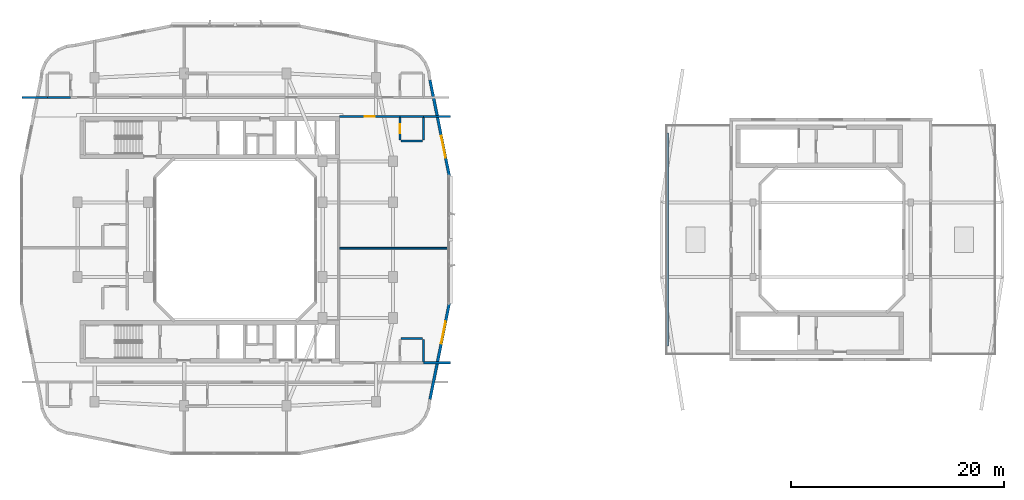
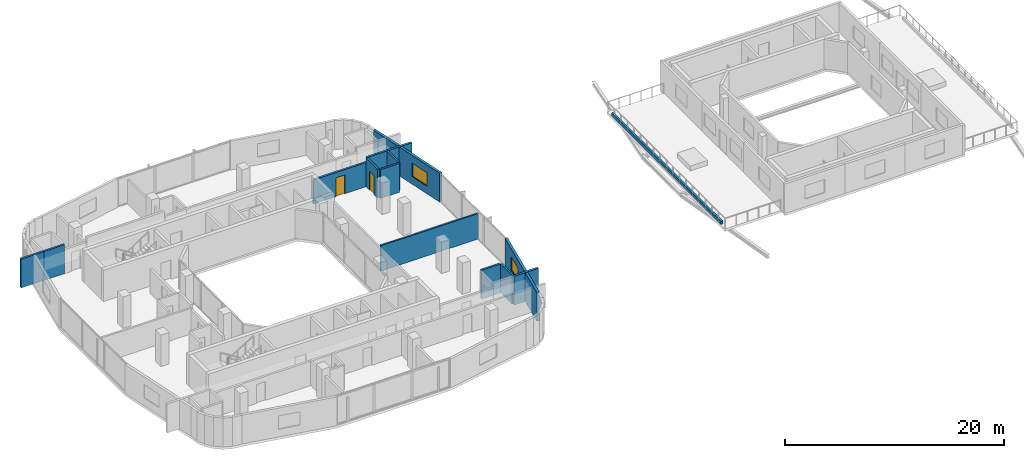
# One storey, part 10 of 18: 15 walls, 2 doors, 2 windows, 4 openings.
"""IFC4 building model written with IfcOpenShell, lengths in metres."""

from ifc_helpers import new_model, si_unit, derived_unit, direction, frame, frame_2d, origin, place, context, subcontext, project, spatial, rectangle, extrude, material, layer, layer_set, type_object, element, fill, save


model = new_model("IFC4")

# Units and contexts
model_context = context("Model", 3, precision=1e-05, world=origin(), true_north=direction((0.0, 1.0)))
body_context = subcontext(model_context, "Body", "Model", "MODEL_VIEW")
ifc_project = project(units=[si_unit("LENGTHUNIT", "METRE"), si_unit("AREAUNIT", "SQUARE_METRE"), si_unit("VOLUMEUNIT", "CUBIC_METRE"), si_unit("PLANEANGLEUNIT", "RADIAN"), si_unit("MASSUNIT", "GRAM", prefix="KILO"), derived_unit("THERMALTRANSMITTANCEUNIT", [(si_unit("POWERUNIT", "WATT"), 1), (si_unit("LENGTHUNIT", "METRE"), -2), (si_unit("THERMODYNAMICTEMPERATUREUNIT", "KELVIN"), -1)])], contexts=[model_context])

# Site, building, storey
site_placement = place(None, origin())
site = spatial("IfcSite", under=ifc_project, at=site_placement, CompositionType="ELEMENT")
building_placement = place(site_placement, origin())
building = spatial("IfcBuilding", under=site, at=building_placement, Name="Kivonza Crest Hotel", CompositionType="ELEMENT")
storey_placement = place(building_placement, frame((0.0, 0.0, 131.0)))
storey = spatial("IfcBuildingStorey", under=building, at=storey_placement, Name="L35", CompositionType="ELEMENT", Elevation=131.0)

# Walls
ifc_material_1 = material(Name="High-density acoustic masonry inter-tenancy wall", Category="masonry")
ifc_layer_1 = layer(ifc_material_1, 0.179931640625)
ifc_layer_set_1 = layer_set([ifc_layer_1], Name="High-density acoustic masonry inter-tenancy wall")
wall_type_1 = type_object("IfcWallType", Name="WL-ACOU-180", PredefinedType="SOLIDWALL", material=ifc_layer_set_1)
wall_1_placement = place(storey_placement, frame((30.800048828125, 24.199951171875, 0.0), z_axis=(0.0, 0.0, 1.0), x_axis=(1.0, 0.0, 0.0)))
element("IfcWall", 1, at=wall_1_placement, inside=storey, type_object=wall_type_1, Name="L35 interior partition WA-L35-T1EC-DIV", PredefinedType="SOLIDWALL", context=body_context, shape_type="SweptSolid", body=[
    extrude(rectangle(XDim=10.33984375, YDim=0.179931640625, at=frame_2d((5.169921875, 0.0))), origin(), (0.0, 0.0, 1.0), 2.8349609375),
])
ifc_material_2 = material(Name="Autoclaved aerated concrete blockwork", Category="masonry")
ifc_layer_2 = layer(ifc_material_2, 0.219970703125)
ifc_layer_set_2 = layer_set([ifc_layer_2], Name="Autoclaved aerated concrete blockwork")
wall_type_2 = type_object("IfcWallType", Name="WL-ACOU-220", PredefinedType="SOLIDWALL", material=ifc_layer_set_2)
wall_2_placement = place(storey_placement, frame((0.9599609375, 38.35009765625, 0.0), z_axis=(0.0, 0.0, 1.0), x_axis=(1.0, 0.0, 0.0)))
element("IfcWall", 2, at=wall_2_placement, inside=storey, type_object=wall_type_2, Name="L35 interior partition WA-L35-N01-XCORR", PredefinedType="SOLIDWALL", context=body_context, shape_type="SweptSolid", body=[
    extrude(rectangle(XDim=2.39013671875, YDim=0.219970703125, at=frame_2d((1.195068359375, 0.0))), origin(), (0.0, 0.0, 1.0), 3.219970703125),
])
wall_3_placement = place(storey_placement, frame((3.35009765625, 38.35009765625, 0.0), z_axis=(0.0, 0.0, 1.0), x_axis=(1.0, 0.0, 0.0)))
element("IfcWall", 3, at=wall_3_placement, inside=storey, type_object=wall_type_2, Name="L35 interior partition WA-L35-N01-BCORR", PredefinedType="SOLIDWALL", context=body_context, shape_type="SweptSolid", body=[
    extrude(rectangle(XDim=2.199951171875, YDim=0.219970703125, at=frame_2d((1.10009765625, 0.0))), origin(), (0.0, 0.0, 1.0), 3.219970703125),
])
for number, where, z_axis, x_axis, name in (
    (4, (38.64990234375, 13.43994140625, 0.0), (0.0, 0.0, 1.0), (1.0, 0.0, 0.0), "L35 interior partition WA-L35-ES08-XCORR"),
    (5, (38.64990234375, 36.56005859375, 0.0), (0.0, 0.0, 1.0), (1.0, 0.0, 0.0), "L35 interior partition WA-L35-EN09-XCORR"),
):
    element("IfcWall", number, at=place(storey_placement, frame(where, z_axis=z_axis, x_axis=x_axis)), inside=storey, type_object=wall_type_2, Name=name, PredefinedType="SOLIDWALL", context=body_context, shape_type="SweptSolid", body=[
        extrude(rectangle(XDim=2.550048828125, YDim=0.219970703125, at=frame_2d((1.27490234375, 0.0))), origin(), (0.0, 0.0, 1.0), 3.219970703125),
    ])
wall_4_placement = place(storey_placement, frame((36.449951171875, 36.56005859375, 0.0), z_axis=(0.0, 0.0, 1.0), x_axis=(1.0, 0.0, 0.0)))
element("IfcWall", 6, at=wall_4_placement, inside=storey, type_object=wall_type_2, Name="L35 interior partition WA-L35-EN09-BCORR", PredefinedType="SOLIDWALL", context=body_context, shape_type="SweptSolid", body=[
    extrude(rectangle(XDim=2.199951171875, YDim=0.219970703125, at=frame_2d((1.10009765625, 0.0))), origin(), (0.0, 0.0, 1.0), 3.219970703125),
])

# Wall, opening, door
wall_5_placement = place(storey_placement, frame((30.800048828125, 36.56005859375, 0.0), z_axis=(0.0, 0.0, 1.0), x_axis=(1.0, 0.0, 0.0)))
wall_5 = element("IfcWall", 7, at=wall_5_placement, inside=storey, type_object=wall_type_2, Name="L35 interior partition WA-L35-EN09-MCORR", PredefinedType="SOLIDWALL", context=body_context, shape_type="SweptSolid", body=[
    extrude(rectangle(XDim=5.64990234375, YDim=0.219970703125, at=frame_2d((2.824951171875, 0.0))), origin(), (0.0, 0.0, 1.0), 2.695068359375),
])
opening_1_placement = place(wall_5_placement, frame((2.35009765625, 0.0, 0.0)))
opening_1 = element("IfcOpeningElement", 8, at=opening_1_placement, cuts=wall_5, Name="Opening DU-60", PredefinedType="OPENING", context=body_context, shape_type="SweptSolid", body=[
    extrude(rectangle(XDim=0.949951171875, YDim=2.10009765625, at=frame_2d((0.47509765625, 1.050048828125))), frame((0.0, 0.1201171875, 0.0), z_axis=(0.0, -1.0, 0.0), x_axis=(1.0, 0.0, 0.0)), (0.0, 0.0, 1.0), 0.239990234375),
])
ifc_material_3 = material(Name="Hardwood timber oak", Category="wood")
door_type_1 = type_object("IfcDoorType", Name="DR-UNIT-950", OperationType="NOTDEFINED", PredefinedType="DOOR", material=ifc_material_3)
door_1_placement = place(opening_1_placement, frame((0.949951171875, 0.0, 0.0), z_axis=(0.0, 0.0, 1.0), x_axis=(-1.0, 0.0, 0.0)))
door_1 = element("IfcDoor", 9, at=door_1_placement, inside=storey, type_object=door_type_1, Name="L35 EN09 guest unit entrance fire door", OperationType="SINGLE_SWING_LEFT", OverallHeight=2.10009765625, OverallWidth=0.949951171875, PredefinedType="DOOR", context=body_context, shape_type="SweptSolid", body=[
    extrude(rectangle(XDim=0.949951171875, YDim=2.10009765625, at=frame_2d((0.47509765625, 1.050048828125))), frame((0.0, 0.02490234375, 0.0), z_axis=(0.0, -1.0, 0.0), x_axis=(1.0, 0.0, 0.0)), (0.0, 0.0, 1.0), 0.050048828125),
])
fill(opening_1, door_1)

# Wall, opening, window
ifc_material_4 = material(Name="Precast concrete C40/50", Category="concrete")
ifc_layer_3 = layer(ifc_material_4, 0.260009765625)
ifc_layer_set_3 = layer_set([ifc_layer_3], Name="Precast concrete C40/50")
wall_type_3 = type_object("IfcWallType", Name="WL-EXT-260", PredefinedType="STANDARD", material=ifc_layer_set_3)
wall_6_placement = place(storey_placement, frame((39.27099609375, 10.01806640625, 0.0), z_axis=(0.0, 0.0, 1.0), x_axis=(0.197435082048, 0.980315963543, 0.0)))
wall_6 = element("IfcWall", 10, at=wall_6_placement, inside=storey, type_object=wall_type_3, Name="L35 T1 exterior insulated wall 16", PredefinedType="STANDARD", context=body_context, shape_type="SweptSolid", body=[
    extrude(rectangle(XDim=9.1826171875, YDim=0.260009765625, at=frame_2d((4.59130859375, 0.0))), origin(), (0.0, 0.0, 1.0), 3.219970703125),
])
opening_2_placement = place(wall_6_placement, frame((5.34912109375, 0.0, 0.85009765625)))
opening_2 = element("IfcOpeningElement", 11, at=opening_2_placement, cuts=wall_6, Name="Opening WN-04", PredefinedType="OPENING", context=body_context, shape_type="SweptSolid", body=[
    extrude(rectangle(XDim=2.10009765625, YDim=1.5, at=frame_2d((1.050048828125, 0.75))), frame((0.0, 0.14013671875, 0.0), z_axis=(0.0, -1.0, 0.0), x_axis=(1.0, 0.0, 0.0)), (0.0, 0.0, 1.0), 0.280029296875),
])
ifc_material_5 = material(Name="Thermally broken bronze aluminium and low-E double glazing", Category="aluminium")
window_type = type_object("IfcWindowType", Name="WN-210x150", PartitioningType="DOUBLE_PANEL_VERTICAL", PredefinedType="WINDOW", material=ifc_material_5)
window_1_placement = place(opening_2_placement, origin())
window_1 = element("IfcWindow", 12, at=window_1_placement, inside=storey, type_object=window_type, Name="L35 T1 facade window 16", OverallHeight=1.5, OverallWidth=2.10009765625, PartitioningType="SINGLE_PANEL", PredefinedType="WINDOW", context=body_context, shape_type="SweptSolid", body=[
    extrude(rectangle(XDim=2.10009765625, YDim=1.5, at=frame_2d((1.050048828125, 0.75))), frame((0.0, 0.030029296875, 0.0), z_axis=(0.0, -1.0, 0.0), x_axis=(1.0, 0.0, 0.0)), (0.0, 0.0, 1.0), 0.06005859375),
])
fill(opening_2, window_1)

wall_7_placement = place(storey_placement, frame((41.083984375, 30.97998046875, 0.0), z_axis=(0.0, 0.0, 1.0), x_axis=(-0.197435082048, 0.980315963543, 0.0)))
wall_7 = element("IfcWall", 13, at=wall_7_placement, inside=storey, type_object=wall_type_3, Name="L35 T1 exterior insulated wall 18", PredefinedType="STANDARD", context=body_context, shape_type="SweptSolid", body=[
    extrude(rectangle(XDim=9.1826171875, YDim=0.260009765625, at=frame_2d((4.59130859375, 0.0))), origin(), (0.0, 0.0, 1.0), 3.219970703125),
])
opening_3_placement = place(wall_7_placement, frame((1.73388671875, 0.0, 0.85009765625)))
opening_3 = element("IfcOpeningElement", 14, at=opening_3_placement, cuts=wall_7, Name="Opening WN-04", PredefinedType="OPENING", context=body_context, shape_type="SweptSolid", body=[
    extrude(rectangle(XDim=2.10009765625, YDim=1.5, at=frame_2d((1.050048828125, 0.75))), frame((0.0, 0.14013671875, 0.0), z_axis=(0.0, -1.0, 0.0), x_axis=(1.0, 0.0, 0.0)), (0.0, 0.0, 1.0), 0.280029296875),
])
window_2_placement = place(opening_3_placement, origin())
window_2 = element("IfcWindow", 15, at=window_2_placement, inside=storey, type_object=window_type, Name="L35 T1 facade window 18", OverallHeight=1.5, OverallWidth=2.10009765625, PartitioningType="SINGLE_PANEL", PredefinedType="WINDOW", context=body_context, shape_type="SweptSolid", body=[
    extrude(rectangle(XDim=2.10009765625, YDim=1.5, at=frame_2d((1.050048828125, 0.75))), frame((0.0, 0.030029296875, 0.0), z_axis=(0.0, -1.0, 0.0), x_axis=(1.0, 0.0, 0.0)), (0.0, 0.0, 1.0), 0.06005859375),
])
fill(opening_3, window_2)

# Walls
ifc_layer_4 = layer(ifc_material_4, 0.199951171875)
ifc_layer_set_4 = layer_set([ifc_layer_4], Name="Precast concrete C40/50")
wall_type_4 = type_object("IfcWallType", Name="WL-PARAPET-200", PredefinedType="PARAPET", material=ifc_layer_set_4)
wall_8_placement = place(storey_placement, frame((61.550048828125, 15.0, 0.0), z_axis=(0.0, 0.0, 1.0), x_axis=(0.0, 1.0, 0.0)))
element("IfcWall", 16, at=wall_8_placement, inside=storey, type_object=wall_type_4, Name="T2 L35 W rooftop parapet kerb", PredefinedType="PARAPET", context=body_context, shape_type="SweptSolid", body=[
    extrude(rectangle(XDim=20.0, YDim=0.199951171875, at=frame_2d((10.0, 0.0))), origin(), (0.0, 0.0, 1.0), 0.35009765625),
])
ifc_material_6 = material(Name="Moisture-resistant plumbing chase partition wall", Category="gypsum")
ifc_layer_5 = layer(ifc_material_6, 0.199951171875)
ifc_layer_set_5 = layer_set([ifc_layer_5], Name="Moisture-resistant plumbing chase partition wall")
wall_type_5 = type_object("IfcWallType", Name="WL-PLUMB-200", PredefinedType="PLUMBINGWALL", material=ifc_layer_set_5)
wall_9_placement = place(storey_placement, frame((36.550048828125, 15.739990234375, 0.0), z_axis=(0.0, 0.0, 1.0), x_axis=(1.0, 0.0, 0.0)))
element("IfcWall", 17, at=wall_9_placement, inside=storey, type_object=wall_type_5, Name="L35 interior partition WW-L35-ES08-BH", PredefinedType="PLUMBINGWALL", context=body_context, shape_type="SweptSolid", body=[
    extrude(rectangle(XDim=2.0, YDim=0.199951171875, at=frame_2d((1.0, 0.0))), origin(), (0.0, 0.0, 1.0), 3.219970703125),
])
wall_10_placement = place(storey_placement, frame((38.64990234375, 13.5400390625, 0.0), z_axis=(0.0, 0.0, 1.0), x_axis=(0.0, 1.0, 0.0)))
element("IfcWall", 18, at=wall_10_placement, inside=storey, type_object=wall_type_5, Name="L35 interior partition WW-L35-ES08-BVE", PredefinedType="PLUMBINGWALL", context=body_context, shape_type="SweptSolid", body=[
    extrude(rectangle(XDim=2.099853515625, YDim=0.199951171875, at=frame_2d((1.0498046875, 0.0))), origin(), (0.0, 0.0, 1.0), 3.219970703125),
])

# Wall, opening, door
wall_11_placement = place(storey_placement, frame((36.449951171875, 34.360107421875, 0.0), z_axis=(0.0, 0.0, 1.0), x_axis=(0.0, 1.0, 0.0)))
wall_11 = element("IfcWall", 19, at=wall_11_placement, inside=storey, type_object=wall_type_5, Name="L35 interior partition WW-L35-EN09-BV", PredefinedType="PLUMBINGWALL", context=body_context, shape_type="SweptSolid", body=[
    extrude(rectangle(XDim=2.099853515625, YDim=0.199951171875, at=frame_2d((1.0498046875, 0.0))), origin(), (0.0, 0.0, 1.0), 3.219970703125),
])
opening_4_placement = place(wall_11_placement, frame((0.625, 0.0, 0.0)))
opening_4 = element("IfcOpeningElement", 20, at=opening_4_placement, cuts=wall_11, Name="Opening DI-85", PredefinedType="OPENING", context=body_context, shape_type="SweptSolid", body=[
    extrude(rectangle(XDim=0.85009765625, YDim=2.10009765625, at=frame_2d((0.425048828125, 1.050048828125))), frame((0.0, 0.10986328125, 0.0), z_axis=(0.0, -1.0, 0.0), x_axis=(1.0, 0.0, 0.0)), (0.0, 0.0, 1.0), 0.219970703125),
])
door_type_2 = type_object("IfcDoorType", Name="DR-INT-850", OperationType="NOTDEFINED", PredefinedType="DOOR", material=ifc_material_3)
door_2_placement = place(opening_4_placement, origin())
door_2 = element("IfcDoor", 21, at=door_2_placement, inside=storey, type_object=door_type_2, Name="L35 EN09 en-suite bathroom door", OperationType="SINGLE_SWING_RIGHT", OverallHeight=2.10009765625, OverallWidth=0.85009765625, PredefinedType="DOOR", context=body_context, shape_type="SweptSolid", body=[
    extrude(rectangle(XDim=0.85009765625, YDim=2.10009765625, at=frame_2d((0.425048828125, 1.050048828125))), frame((0.0, 0.02490234375, 0.0), z_axis=(0.0, -1.0, 0.0), x_axis=(1.0, 0.0, 0.0)), (0.0, 0.0, 1.0), 0.050048828125),
])
fill(opening_4, door_2)

# Walls
wall_12_placement = place(storey_placement, frame((36.550048828125, 34.260009765625, 0.0), z_axis=(0.0, 0.0, 1.0), x_axis=(1.0, 0.0, 0.0)))
element("IfcWall", 22, at=wall_12_placement, inside=storey, type_object=wall_type_5, Name="L35 interior partition WW-L35-EN09-BH", PredefinedType="PLUMBINGWALL", context=body_context, shape_type="SweptSolid", body=[
    extrude(rectangle(XDim=2.0, YDim=0.199951171875, at=frame_2d((1.0, 0.0))), origin(), (0.0, 0.0, 1.0), 3.219970703125),
])
wall_13_placement = place(storey_placement, frame((38.64990234375, 34.360107421875, 0.0), z_axis=(0.0, 0.0, 1.0), x_axis=(0.0, 1.0, 0.0)))
element("IfcWall", 23, at=wall_13_placement, inside=storey, type_object=wall_type_5, Name="L35 interior partition WW-L35-EN09-BVE", PredefinedType="PLUMBINGWALL", context=body_context, shape_type="SweptSolid", body=[
    extrude(rectangle(XDim=2.099853515625, YDim=0.199951171875, at=frame_2d((1.0498046875, 0.0))), origin(), (0.0, 0.0, 1.0), 3.219970703125),
])

save(model, "model.ifc")
